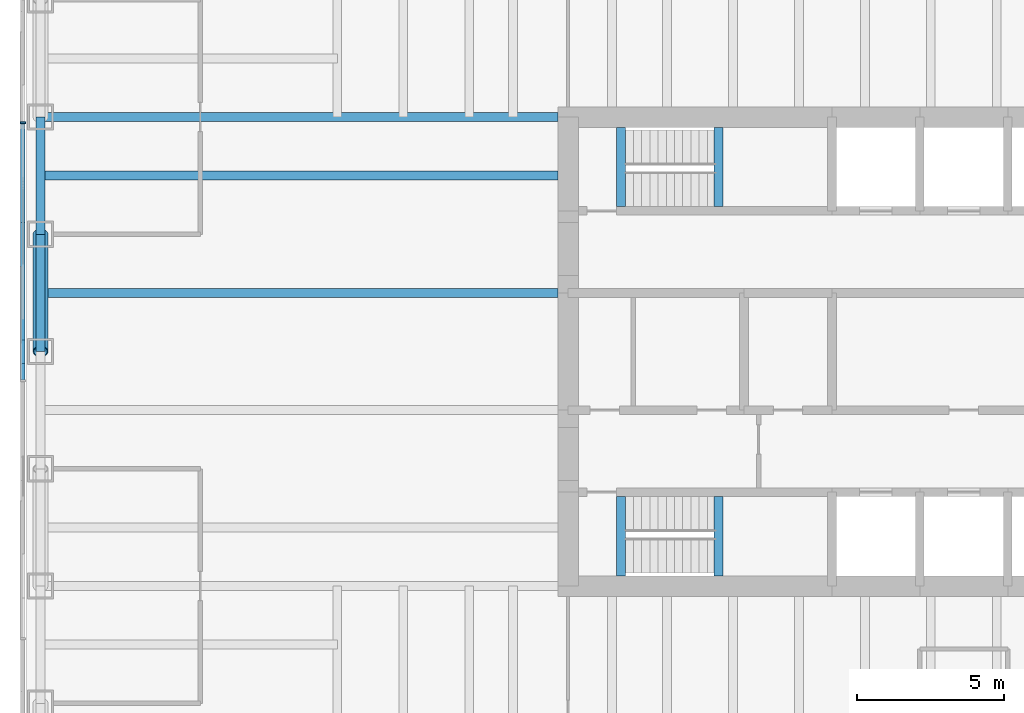
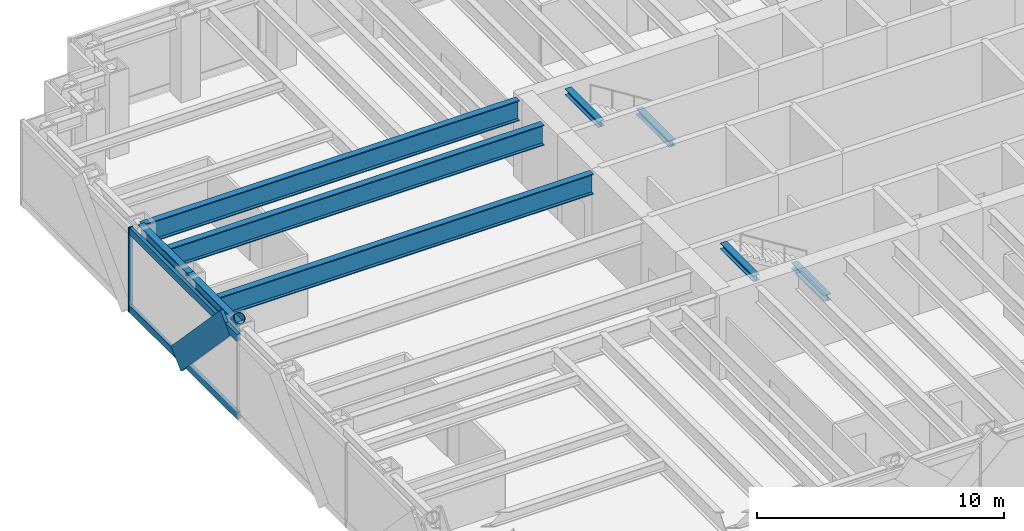
# One storey, part 3 of 17: 9 beams, 5 members, 1 element without a shape of its own.
"""IFC4 building model written with IfcOpenShell, lengths in metres."""

import ifcopenshell
import ifcopenshell.guid

model = None  # the IFC model being written
_history = None  # IfcOwnerHistory: only IFC2X3 demands one
_inside = {}  # id of a spatial element -> (the spatial element, [elements in it])
_under = {}  # id of a project, library or spatial element -> (it, [spatial elements below it])
_declared = {}  # id of a project -> (the project, [libraries it declares])
_typed = {}  # id of a type object -> (the type object, [elements of that type])
_made_of = {}  # id of a material, layer set ... -> (it, [elements and type objects made of it])


def new_model(schema):
    """Start an empty IFC model of exactly this schema.

    Asked for "IFC4X3", IfcOpenShell would pick the latest addendum, in which some entities
    have other attributes; the version numbers below select the first issue.
    IFC2X3 requires an IfcOwnerHistory on every rooted entity: one is made here for all.
    """
    global model, _history
    if schema == "IFC4X3":
        model = ifcopenshell.file(schema_version=(4, 3, 0, 0))
    else:
        model = ifcopenshell.file(schema=schema)
    _inside.clear()
    _under.clear()
    _declared.clear()
    _typed.clear()
    _made_of.clear()
    _history = None
    if model.schema == "IFC2X3":
        org = make("IfcOrganization", Name="unknown")
        user = make(
            "IfcPersonAndOrganization",
            ThePerson=make("IfcPerson", FamilyName="unknown"),
            TheOrganization=org,
        )
        app = make(
            "IfcApplication",
            ApplicationDeveloper=org,
            Version="unknown",
            ApplicationFullName="unknown",
            ApplicationIdentifier="unknown",
        )
        _history = make(
            "IfcOwnerHistory",
            OwningUser=user,
            OwningApplication=app,
            ChangeAction="ADDED",
            CreationDate=0,
        )
    return model


def make(cls, **values):
    """One entity of the class cls with the attributes given. An attribute that is None is left unset."""
    return model.create_entity(
        cls, **{name: value for name, value in values.items() if value is not None}
    )


def rooted(cls, **values):
    """An entity with a GlobalId (a new one), such as an element, a storey or a relation."""
    return make(cls, GlobalId=ifcopenshell.guid.new(), OwnerHistory=_history, **values)


def si_unit(unit_type, name, prefix=None):
    """IfcSIUnit, for example si_unit("LENGTHUNIT", "METRE", prefix="MILLI")."""
    return make("IfcSIUnit", UnitType=unit_type, Prefix=prefix, Name=name)


def assignment(units):
    """IfcUnitAssignment: the units of a project."""
    return None if units is None else make("IfcUnitAssignment", Units=units)


def point(xyz):
    """IfcCartesianPoint."""
    return None if xyz is None else make("IfcCartesianPoint", Coordinates=xyz)


def direction(xyz):
    """IfcDirection."""
    return None if xyz is None else make("IfcDirection", DirectionRatios=xyz)


def frame(location, z_axis=None, x_axis=None):
    """IfcAxis2Placement3D, a coordinate frame: its origin and axes. An axis left out is left unset."""
    return make(
        "IfcAxis2Placement3D",
        Location=point(location),
        Axis=direction(z_axis),
        RefDirection=direction(x_axis),
    )


def frame_2d(location, x_axis=None):
    """IfcAxis2Placement2D, a coordinate frame in the plane: its origin and x axis."""
    return make(
        "IfcAxis2Placement2D", Location=point(location), RefDirection=direction(x_axis)
    )


def origin():
    """The frame at (0, 0, 0) with its axes left unset."""
    return frame((0.0, 0.0, 0.0))


def origin_2d():
    """The frame at (0, 0) in the plane with its x axis left unset."""
    return frame_2d((0.0, 0.0))


def place(relative_to, where):
    """IfcLocalPlacement: puts the frame where relative to a parent placement (None: the world)."""
    return make(
        "IfcLocalPlacement", PlacementRelTo=relative_to, RelativePlacement=where
    )


def context(
    kind, dimensions, precision=None, world=None, true_north=None, identifier=None
):
    """IfcGeometricRepresentationContext, for example the 3D "Model" context."""
    return make(
        "IfcGeometricRepresentationContext",
        ContextIdentifier=identifier,
        ContextType=kind,
        CoordinateSpaceDimension=dimensions,
        Precision=precision,
        WorldCoordinateSystem=world,
        TrueNorth=true_north,
    )


def subcontext(parent, identifier, kind, view, scale=None):
    """IfcGeometricRepresentationSubContext, for example "Body" below "Model"."""
    return make(
        "IfcGeometricRepresentationSubContext",
        ContextIdentifier=identifier,
        ContextType=kind,
        ParentContext=parent,
        TargetScale=scale,
        TargetView=view,
    )


def project(units=None, contexts=None):
    """IfcProject with its units and contexts."""
    return rooted(
        "IfcProject",
        Name="project",
        RepresentationContexts=contexts,
        UnitsInContext=assignment(units),
    )


def spatial(cls, under=None, at=None, **own):
    """A site, building, storey or space (cls), placed at a placement, below another one or the project."""
    s = rooted(cls, ObjectPlacement=at, **own)
    if under is not None:
        _under.setdefault(under.id(), (under, []))[1].append(s)
    return s


def profile(cls, at=None, kind="AREA", **sizes):
    """A parametric profile (cls). Its sizes go by their IFC names, for example OverallWidth=200.0."""
    return make(cls, ProfileType=kind, Position=at, **sizes)


def rectangle(**sizes):
    """IfcRectangleProfileDef."""
    return profile("IfcRectangleProfileDef", **sizes)


def hollow_circle(**sizes):
    """IfcCircleHollowProfileDef."""
    return profile("IfcCircleHollowProfileDef", **sizes)


def i_section(**sizes):
    """IfcIShapeProfileDef."""
    return profile("IfcIShapeProfileDef", **sizes)


def extrude(swept, where, along, depth):
    """IfcExtrudedAreaSolid: the profile swept, set in the frame where, extruded along a direction by depth."""
    return make(
        "IfcExtrudedAreaSolid",
        SweptArea=swept,
        Position=where,
        ExtrudedDirection=direction(along),
        Depth=depth,
    )


def shape(context_of_items, identifier, shape_type, items):
    """IfcShapeRepresentation: the items that make up one representation, for example the "Body"."""
    return make(
        "IfcShapeRepresentation",
        ContextOfItems=context_of_items,
        RepresentationIdentifier=identifier,
        RepresentationType=shape_type,
        Items=items,
    )


def material(Name=None, Category=None):
    """IfcMaterial."""
    return make("IfcMaterial", Name=Name, Category=Category)


def material_profile(
    of_material, cross_section, Name=None, Category=None, Priority=None
):
    """IfcMaterialProfile: a cross section and its material."""
    return make(
        "IfcMaterialProfile",
        Name=Name,
        Material=of_material,
        Profile=cross_section,
        Priority=Priority,
        Category=Category,
    )


def profile_set(profiles, Name=None, composite=None):
    """IfcMaterialProfileSet."""
    return make(
        "IfcMaterialProfileSet",
        Name=Name,
        MaterialProfiles=profiles,
        CompositeProfile=composite,
    )


def made_of(thing, what):
    """Note that an element or type object is made of a material, layer set ...; save() writes the relation."""
    if what is not None:
        _made_of.setdefault(what.id(), (what, []))[1].append(thing)
    return thing


def type_object(cls, material=None, **own):
    """A type object (cls), such as IfcWallType, which elements share."""
    return made_of(rooted(cls, **own), material)


def element(
    cls,
    number,
    at=None,
    inside=None,
    cuts=None,
    type_object=None,
    material=None,
    context=None,
    identifier="Body",
    shape_type=None,
    held_by="IfcProductDefinitionShape",
    body=None,
    shapes=None,
    **own,
):
    """One element of the class cls, such as IfcWall. Its Tag is "e" and its number.

    at: its placement. inside: the storey or other place that contains it. cuts: it is an
    opening in that element (IfcRelVoidsElement). A single representation is given by context,
    identifier, shape_type and body (its items); several are given by shapes. held_by: the class
    of the entity that holds the representations. save() writes the other relations.
    """
    e = rooted(cls, Tag="e%d" % number, ObjectPlacement=at, **own)
    if body is not None:
        shapes = [shape(context, identifier, shape_type, body)]
    if shapes is not None:
        e.Representation = make(held_by, Representations=shapes)
    if inside is not None:
        _inside.setdefault(inside.id(), (inside, []))[1].append(e)
    if cuts is not None:
        rooted(
            "IfcRelVoidsElement", RelatingBuildingElement=cuts, RelatedOpeningElement=e
        )
    if type_object is not None:
        _typed.setdefault(type_object.id(), (type_object, []))[1].append(e)
    return made_of(e, material)


def aggregate(whole, parts):
    """IfcRelAggregates: a whole, such as a stair, and the parts it consists of."""
    return rooted("IfcRelAggregates", RelatingObject=whole, RelatedObjects=parts)


def save(model, path):
    """Write the relations noted so far, then the file.

    IfcRelAggregates (storeys below a building ...), IfcRelContainedInSpatialStructure (elements
    in a storey), IfcRelDefinesByType, IfcRelAssociatesMaterial and IfcRelDeclares: one each for
    every whole, place, type object, material and project.
    """
    for whole, parts in _under.values():
        aggregate(whole, parts)
    for where, things in _inside.values():
        rooted(
            "IfcRelContainedInSpatialStructure",
            RelatedElements=things,
            RelatingStructure=where,
        )
    for kind, things in _typed.values():
        rooted("IfcRelDefinesByType", RelatedObjects=things, RelatingType=kind)
    for what, things in _made_of.values():
        rooted("IfcRelAssociatesMaterial", RelatedObjects=things, RelatingMaterial=what)
    for by, libraries in _declared.values():
        rooted("IfcRelDeclares", RelatingContext=by, RelatedDefinitions=libraries)
    model.write(path)


model = new_model("IFC4")

# Units and contexts
model_context = context("Model", 3, precision=1e-05, world=origin(), true_north=direction((0.0, 1.0)))
body_context = subcontext(model_context, "Body", "Model", "MODEL_VIEW")
ifc_project = project(units=[si_unit("LENGTHUNIT", "METRE"), si_unit("AREAUNIT", "SQUARE_METRE"), si_unit("VOLUMEUNIT", "CUBIC_METRE"), si_unit("PLANEANGLEUNIT", "RADIAN"), si_unit("MASSUNIT", "GRAM", prefix="KILO")], contexts=[model_context])

# Site, building, storey
site_placement = place(None, origin())
site = spatial("IfcSite", under=ifc_project, at=site_placement, CompositionType="ELEMENT")
building_placement = place(site_placement, origin())
building = spatial("IfcBuilding", under=site, at=building_placement, Name="Rheinbord Bourse Tower", CompositionType="ELEMENT")
storey_placement = place(building_placement, frame((0.0, 0.0, 287.89990234375)))
storey = spatial("IfcBuildingStorey", under=building, at=storey_placement, Name="L65", CompositionType="ELEMENT", Elevation=287.89990234375)

# Curtain wall, members
ifc_material_1 = material(Name="Dark glass and black aluminium", Category="aluminium")
curtain_wall_type = type_object("IfcCurtainWallType", Name="CW3 DARK GLASS CURTAIN WALL", PredefinedType="USERDEFINED", material=ifc_material_1)
curtain_wall_placement = place(storey_placement, origin())
curtain_wall = element("IfcCurtainWall", 1, at=curtain_wall_placement, inside=storey, type_object=curtain_wall_type, Name="Curtain wall CW3 W L65", ObjectType="UNITISED CURTAIN WALL", PredefinedType="USERDEFINED")
ifc_material_2 = material(Name="Black anodised aluminium", Category="aluminium")
ifc_material_profile_1 = material_profile(ifc_material_2, rectangle(XDim=0.14990234375, YDim=1.10791015625, at=origin_2d()), Name="CW3 DIAGONAL MULLION 1108x150")
ifc_profile_set_1 = profile_set([ifc_material_profile_1], Name="Black anodised aluminium")
member_type_1 = type_object("IfcMemberType", Name="CW3 BLACK DIAGONAL MULLION", PredefinedType="USERDEFINED", material=ifc_profile_set_1)
member_1_placement = place(storey_placement, frame((-0.60009765625, 28.0, 0.0), z_axis=(0.0, -0.689638355374, 0.72415394689), x_axis=(1.0, 0.0, 0.0)))
member_1 = element("IfcMember", 2, at=member_1_placement, type_object=member_type_1, Name="CW3 diagonal mullion a", ObjectType="DIAGONAL MULLION", PredefinedType="USERDEFINED", context=body_context, shape_type="SweptSolid", body=[
    extrude(rectangle(XDim=0.14990234375, YDim=1.10791015625, at=origin_2d()), origin(), (0.0, 0.0, 1.0), 5.800048828125),
])
ifc_material_3 = material(Name="Black anodised aluminium", Category="aluminium")
ifc_material_profile_2 = material_profile(ifc_material_3, rectangle(XDim=0.199951171875, YDim=0.06494140625, at=origin_2d()), Name="CW3 MULLION 65x200")
ifc_profile_set_2 = profile_set([ifc_material_profile_2], Name="Black anodised aluminium")
member_type_2 = type_object("IfcMemberType", Name="CW3 BLACK MULLION", PredefinedType="MULLION", material=ifc_profile_set_2)
member_2_placement = place(storey_placement, frame((-0.60009765625, 31.800048828125, 0.0), z_axis=(0.0, 0.0, 1.0), x_axis=(1.0, 0.0, 0.0)))
member_2 = element("IfcMember", 3, at=member_2_placement, type_object=member_type_2, Name="CW3 mullion 2", PredefinedType="MULLION", context=body_context, shape_type="SweptSolid", body=[
    extrude(rectangle(XDim=0.199951171875, YDim=0.06494140625, at=origin_2d()), origin(), (0.0, 0.0, 1.0), 4.2001953125),
])
ifc_material_4 = material(Name="Black anodised aluminium", Category="aluminium")
ifc_material_profile_3 = material_profile(ifc_material_4, rectangle(XDim=0.14990234375, YDim=0.35009765625, at=origin_2d()), Name="CW3 TRANSOM 350x150")
ifc_profile_set_3 = profile_set([ifc_material_profile_3], Name="Black anodised aluminium")
member_type_3 = type_object("IfcMemberType", Name="CW3 BLACK TRANSOM", PredefinedType="USERDEFINED", material=ifc_profile_set_3)
member_3_placement = place(storey_placement, frame((-0.60009765625, 31.767578125, 0.175048828125), z_axis=(0.0, -1.0, 0.0), x_axis=(1.0, 0.0, 0.0)))
member_3 = element("IfcMember", 4, at=member_3_placement, type_object=member_type_3, Name="CW3 transom 2.1", ObjectType="TRANSOM", PredefinedType="USERDEFINED", context=body_context, shape_type="SweptSolid", body=[
    extrude(rectangle(XDim=0.14990234375, YDim=0.35009765625, at=origin_2d()), origin(), (0.0, 0.0, 1.0), 8.735107421875),
])
member_4_placement = place(storey_placement, frame((-0.60009765625, 31.767578125, 4.025146484375), z_axis=(0.0, -1.0, 0.0), x_axis=(1.0, 0.0, 0.0)))
member_4 = element("IfcMember", 5, at=member_4_placement, type_object=member_type_3, Name="CW3 transom 2.2", ObjectType="TRANSOM", PredefinedType="USERDEFINED", context=body_context, shape_type="SweptSolid", body=[
    extrude(rectangle(XDim=0.14990234375, YDim=0.35009765625, at=origin_2d()), origin(), (0.0, 0.0, 1.0), 8.735107421875),
])
aggregate(curtain_wall, [member_2, member_3, member_4, member_1])

# Beams
ifc_material_5 = material(Name="Steel S460", Category="steel")
ifc_material_profile_4 = material_profile(ifc_material_5, i_section(OverallWidth=0.302001953125, OverallDepth=1.008056640625, WebThickness=0.02099609375, FlangeThickness=0.0400390625, at=origin_2d()), Name="HEM 1000")
ifc_profile_set_4 = profile_set([ifc_material_profile_4], Name="Steel S460")
beam_type_1 = type_object("IfcBeamType", Name="END BEAM HEM 1000", PredefinedType="BEAM", material=ifc_profile_set_4)
for number, where, z_axis, x_axis, name in (
    (6, (0.0, 26.0, 3.5361328125), (1.0, 0.0, 0.0), (0.0, 1.0, 0.0), "End beam west 26 L66"),
    (7, (0.0, 30.0, 3.5361328125), (1.0, 0.0, 0.0), (0.0, 1.0, 0.0), "End beam west 30 L66"),
):
    element("IfcBeam", number, at=place(storey_placement, frame(where, z_axis=z_axis, x_axis=x_axis)), inside=storey, type_object=beam_type_1, Name=name, PredefinedType="BEAM", context=body_context, shape_type="SweptSolid", body=[
        extrude(i_section(OverallWidth=0.302001953125, OverallDepth=1.008056640625, WebThickness=0.02099609375, FlangeThickness=0.0400390625, at=origin_2d()), origin(), (0.0, 0.0, 1.0), 17.64990234375),
    ])
ifc_material_6 = material(Name="Steel S460", Category="steel")
ifc_material_profile_5 = material_profile(ifc_material_6, i_section(OverallWidth=0.302001953125, OverallDepth=1.008056640625, WebThickness=0.02099609375, FlangeThickness=0.0400390625, at=origin_2d()), Name="HEM 1000")
ifc_profile_set_5 = profile_set([ifc_material_profile_5], Name="Steel S460")
beam_type_2 = type_object("IfcBeamType", Name="GIRDER HEM 1000", PredefinedType="BEAM", material=ifc_profile_set_5)
beam_placement = place(storey_placement, frame((0.0, 32.0, 3.5361328125), z_axis=(1.0, 0.0, 0.0), x_axis=(0.0, 1.0, 0.0)))
element("IfcBeam", 8, at=beam_placement, inside=storey, type_object=beam_type_2, Name="Girder west 32 L66", PredefinedType="BEAM", context=body_context, shape_type="SweptSolid", body=[
    extrude(i_section(OverallWidth=0.302001953125, OverallDepth=1.008056640625, WebThickness=0.02099609375, FlangeThickness=0.0400390625, at=origin_2d()), origin(), (0.0, 0.0, 1.0), 17.64990234375),
])
ifc_material_7 = material(Name="Steel S460", Category="steel")
ifc_material_profile_6 = material_profile(ifc_material_7, i_section(OverallWidth=0.300048828125, OverallDepth=0.300048828125, WebThickness=0.010986328125, FlangeThickness=0.01904296875, at=origin_2d()), Name="HEB 300")
ifc_profile_set_6 = profile_set([ifc_material_profile_6], Name="Steel S460")
beam_type_3 = type_object("IfcBeamType", Name="LANDING TRIMMER HEB 300", PredefinedType="BEAM", material=ifc_profile_set_6)
for number, where, z_axis, x_axis, name in (
    (9, (23.1298828125, 16.35009765625, 1.75), (0.0, 1.0, 0.0), (-1.0, 0.0, 0.0), "Landing trimmer ST1 L65"),
    (10, (19.800048828125, 16.35009765625, 3.89013671875), (0.0, 1.0, 0.0), (-1.0, 0.0, 0.0), "Well trimmer ST1 under L66"),
    (11, (23.1298828125, 28.949951171875, 1.75), (0.0, 1.0, 0.0), (-1.0, 0.0, 0.0), "Landing trimmer ST2 L65"),
    (12, (19.800048828125, 28.949951171875, 3.89013671875), (0.0, 1.0, 0.0), (-1.0, 0.0, 0.0), "Well trimmer ST2 under L66"),
):
    element("IfcBeam", number, at=place(storey_placement, frame(where, z_axis=z_axis, x_axis=x_axis)), inside=storey, type_object=beam_type_3, Name=name, PredefinedType="BEAM", context=body_context, shape_type="SweptSolid", body=[
        extrude(i_section(OverallWidth=0.300048828125, OverallDepth=0.300048828125, WebThickness=0.010986328125, FlangeThickness=0.01904296875, at=origin_2d()), origin(), (0.0, 0.0, 1.0), 2.699951171875),
    ])

# Member
ifc_material_8 = material(Name="Steel S460", Category="steel")
ifc_material_profile_7 = material_profile(ifc_material_8, hollow_circle(Radius=0.25390625, WallThickness=0.030029296875, at=origin_2d()), Name="CHS 508x30")
ifc_profile_set_7 = profile_set([ifc_material_profile_7], Name="Steel S460")
member_type_4 = type_object("IfcMemberType", Name="MEGABRACE CHS 508x30", PredefinedType="BRACE", material=ifc_profile_set_7)
member_5_placement = place(storey_placement, frame((0.0, 28.0, 0.0), z_axis=(0.0, -0.689638355374, 0.72415394689), x_axis=(1.0, 0.0, 0.0)))
element("IfcMember", 13, at=member_5_placement, inside=storey, type_object=member_type_4, Name="Megabrace W face line a L65", PredefinedType="BRACE", context=body_context, shape_type="SweptSolid", body=[
    extrude(hollow_circle(Radius=0.25390625, WallThickness=0.030029296875, at=origin_2d()), origin(), (0.0, 0.0, 1.0), 5.800048828125),
])

# Beams
ifc_material_9 = material(Name="Steel S460", Category="steel")
ifc_material_profile_8 = material_profile(ifc_material_9, i_section(OverallWidth=0.300048828125, OverallDepth=0.550048828125, WebThickness=0.014892578125, FlangeThickness=0.029052734375, at=origin_2d()), Name="HEB 550")
ifc_profile_set_8 = profile_set([ifc_material_profile_8], Name="Steel S460")
beam_type_4 = type_object("IfcBeamType", Name="SPANDREL HEB 550", PredefinedType="SPANDREL", material=ifc_profile_set_8)
for number, where, z_axis, x_axis, name in (
    (14, (0.0, 32.0, 3.76513671875), (0.0, -1.0, 0.0), (1.0, 0.0, 0.0), "Spandrel W-32-W-28 under L66"),
    (15, (0.0, 28.0, 3.76513671875), (0.0, -1.0, 0.0), (1.0, 0.0, 0.0), "Spandrel W-28-W-24 under L66"),
):
    element("IfcBeam", number, at=place(storey_placement, frame(where, z_axis=z_axis, x_axis=x_axis)), inside=storey, type_object=beam_type_4, Name=name, PredefinedType="SPANDREL", context=body_context, shape_type="SweptSolid", body=[
        extrude(i_section(OverallWidth=0.300048828125, OverallDepth=0.550048828125, WebThickness=0.014892578125, FlangeThickness=0.029052734375, at=origin_2d()), origin(), (0.0, 0.0, 1.0), 4.0),
    ])

save(model, "model.ifc")
